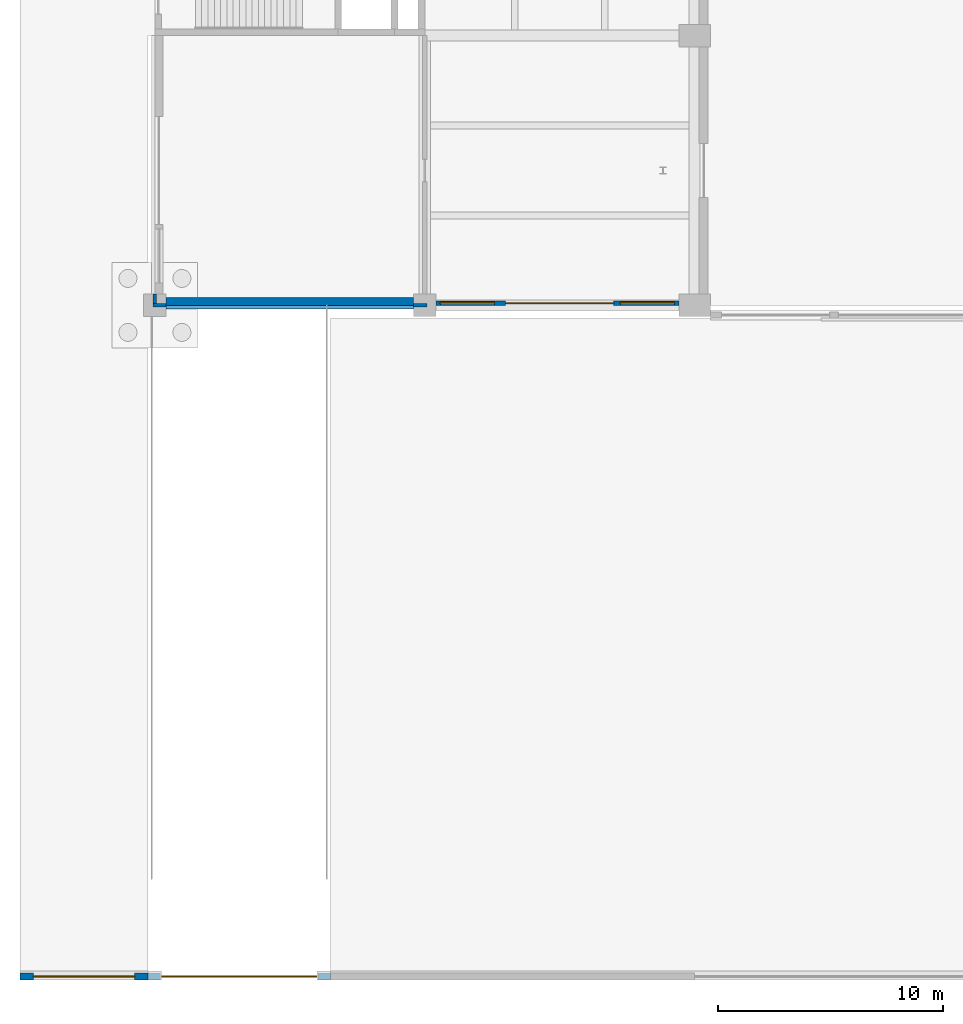
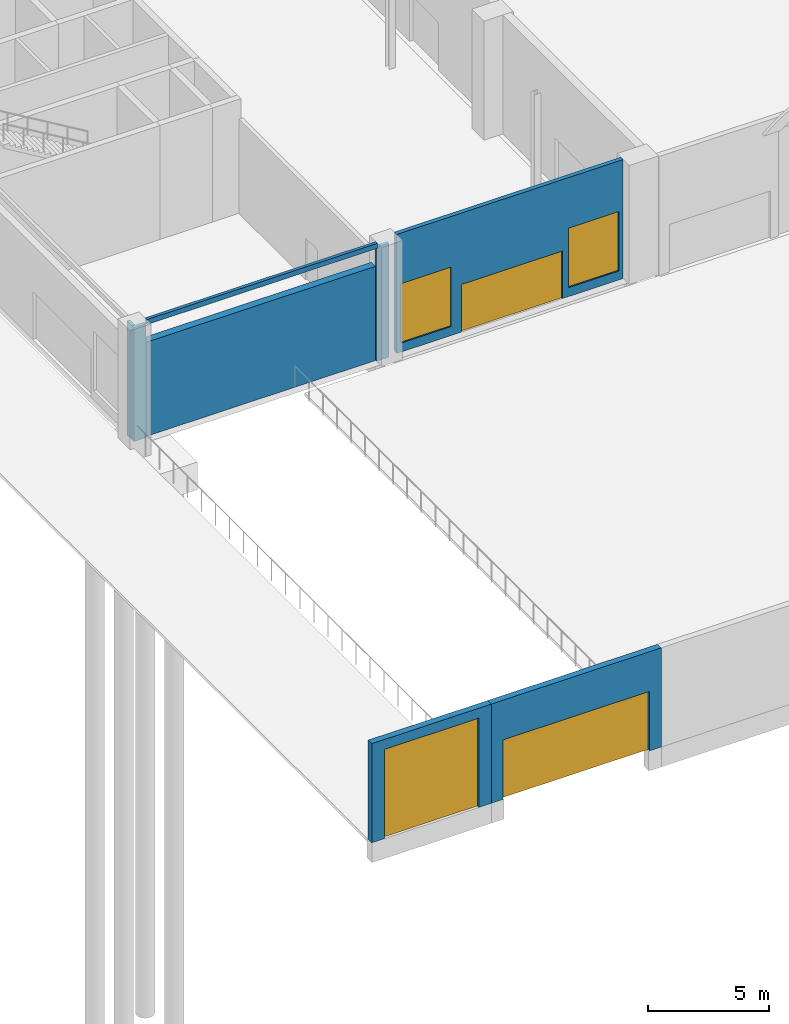
# One storey, part 31 of 59: 8 walls, 3 doors, 2 windows, 5 openings.
"""IFC4 building model written with IfcOpenShell, lengths in metres."""

from ifc_helpers import new_model, si_unit, direction, frame, frame_2d, origin, place, context, subcontext, project, spatial, rectangle, extrude, material, layer, layer_set, type_object, element, fill, save


model = new_model("IFC4")

# Units and contexts
model_context = context("Model", 3, precision=1e-05, world=origin(), true_north=direction((0.0, 1.0)))
body_context = subcontext(model_context, "Body", "Model", "MODEL_VIEW")
ifc_project = project(units=[si_unit("LENGTHUNIT", "METRE"), si_unit("AREAUNIT", "SQUARE_METRE"), si_unit("VOLUMEUNIT", "CUBIC_METRE"), si_unit("PLANEANGLEUNIT", "RADIAN"), si_unit("MASSUNIT", "GRAM", prefix="KILO")], contexts=[model_context])

# Site, building, storey
site_placement = place(None, origin())
site = spatial("IfcSite", under=ifc_project, at=site_placement, CompositionType="ELEMENT")
building_placement = place(site_placement, origin())
building = spatial("IfcBuilding", under=site, at=building_placement, Name="Lilac Gate Convention Centre", CompositionType="ELEMENT")
storey_placement = place(building_placement, origin())
storey = spatial("IfcBuildingStorey", under=building, at=storey_placement, Name="L00", CompositionType="ELEMENT", Elevation=0.0)

# Wall, opening, door
ifc_material_1 = material(Name="Concrete C30", Category="concrete")
ifc_layer_1 = layer(ifc_material_1, 0.300048828125)
ifc_layer_set_1 = layer_set([ifc_layer_1], Name="Concrete C30")
wall_type_1 = type_object("IfcWallType", Name="Boundary wall 300", PredefinedType="SOLIDWALL", material=ifc_layer_set_1)
wall_1_placement = place(storey_placement, frame((0.0, 0.155029296875, 0.0), z_axis=(0.0, 0.0, 1.0), x_axis=(1.0, 0.0, 0.0)))
wall_1 = element("IfcWall", 1, at=wall_1_placement, inside=storey, type_object=wall_type_1, Name="Boundary wall Back Street W", PredefinedType="SOLIDWALL", context=body_context, shape_type="SweptSolid", body=[
    extrude(rectangle(XDim=5.699951171875, YDim=0.300048828125, at=frame_2d((2.85009765625, 0.0))), origin(), (0.0, 0.0, 1.0), 5.0),
])
opening_1_placement = place(wall_1_placement, frame((0.60009765625, 0.0, 0.0)))
opening_1 = element("IfcOpeningElement", 2, at=opening_1_placement, cuts=wall_1, Name="Opening ED-037", PredefinedType="OPENING", context=body_context, shape_type="SweptSolid", body=[
    extrude(rectangle(XDim=4.5, YDim=4.5, at=frame_2d((2.25, 2.25))), frame((0.0, 0.159912109375, 0.0), z_axis=(0.0, -1.0, 0.0), x_axis=(1.0, 0.0, 0.0)), (0.0, 0.0, 1.0), 0.320068359375),
])
ifc_material_2 = material(Name="Steel Q235B", Category="steel")
door_type_1 = type_object("IfcDoorType", Name="Lane gate 4500 x 4500", OperationType="SLIDING_TO_LEFT", PredefinedType="DOOR", material=ifc_material_2)
door_1_placement = place(opening_1_placement, frame((4.5, 0.0, 0.0), z_axis=(0.0, 0.0, 1.0), x_axis=(-1.0, 0.0, 0.0)))
door_1 = element("IfcDoor", 3, at=door_1_placement, inside=storey, type_object=door_type_1, Name="Lane gate G1", OperationType="SLIDING_TO_LEFT", OverallHeight=4.5, OverallWidth=4.5, PredefinedType="DOOR", context=body_context, shape_type="SweptSolid", body=[
    extrude(rectangle(XDim=4.5, YDim=4.5, at=frame_2d((2.25, 2.25))), frame((0.0, 0.02490234375, 0.0), z_axis=(0.0, -1.0, 0.0), x_axis=(1.0, 0.0, 0.0)), (0.0, 0.0, 1.0), 0.050048828125),
])
fill(opening_1, door_1)

wall_2_placement = place(storey_placement, frame((5.699951171875, 0.155029296875, 0.0), z_axis=(0.0, 0.0, 1.0), x_axis=(1.0, 0.0, 0.0)))
wall_2 = element("IfcWall", 4, at=wall_2_placement, inside=storey, type_object=wall_type_1, Name="Boundary wall Back Street R", PredefinedType="SOLIDWALL", context=body_context, shape_type="SweptSolid", body=[
    extrude(rectangle(XDim=8.10009765625, YDim=0.300048828125, at=frame_2d((4.050048828125, 0.0))), origin(), (0.0, 0.0, 1.0), 5.0),
])
opening_2_placement = place(wall_2_placement, frame((0.550048828125, 0.0, 0.0)))
opening_2 = element("IfcOpeningElement", 5, at=opening_2_placement, cuts=wall_2, Name="Opening VG1", PredefinedType="OPENING", context=body_context, shape_type="SweptSolid", body=[
    extrude(rectangle(XDim=7.0, YDim=3.0, at=frame_2d((3.5, 1.5))), frame((0.0, 0.159912109375, 0.0), z_axis=(0.0, -1.0, 0.0), x_axis=(1.0, 0.0, 0.0)), (0.0, 0.0, 1.0), 0.320068359375),
])
door_type_2 = type_object("IfcDoorType", Name="Car ramp gate 7000 x 3000", OperationType="SLIDING_TO_LEFT", PredefinedType="DOOR", material=ifc_material_2)
door_2_placement = place(opening_2_placement, frame((7.0, 0.0, 0.0), z_axis=(0.0, 0.0, 1.0), x_axis=(-1.0, 0.0, 0.0)))
door_2 = element("IfcDoor", 6, at=door_2_placement, inside=storey, type_object=door_type_2, Name="Car ramp vehicle gate VG1", OperationType="SLIDING_TO_LEFT", OverallHeight=3.0, OverallWidth=7.0, PredefinedType="DOOR", context=body_context, shape_type="SweptSolid", body=[
    extrude(rectangle(XDim=7.0, YDim=3.0, at=frame_2d((3.5, 1.5))), frame((0.0, 0.02490234375, 0.0), z_axis=(0.0, -1.0, 0.0), x_axis=(1.0, 0.0, 0.0)), (0.0, 0.0, 1.0), 0.050048828125),
])
fill(opening_2, door_2)

# Wall, openings, door, windows
ifc_material_3 = material(Name="Aluminium framed glazing", Category="aluminium")
ifc_layer_2 = layer(ifc_material_3, 0.199951171875)
ifc_layer_set_2 = layer_set([ifc_layer_2], Name="Aluminium framed glazing")
wall_type_2 = type_object("IfcWallType", Name="Entrance screen frame 200", PredefinedType="STANDARD", material=ifc_layer_set_2)
wall_3_placement = place(storey_placement, frame((18.5, 30.10009765625, 0.0), z_axis=(0.0, 0.0, 1.0), x_axis=(1.0, 0.0, 0.0)))
wall_3 = element("IfcWall", 7, at=wall_3_placement, inside=storey, type_object=wall_type_2, Name="Galleria end door wall L00", PredefinedType="STANDARD", context=body_context, shape_type="SweptSolid", body=[
    extrude(rectangle(XDim=10.800048828125, YDim=0.199951171875, at=frame_2d((5.39990234375, 0.0))), origin(), (0.0, 0.0, 1.0), 6.0),
])
opening_3_placement = place(wall_3_placement, frame((3.10009765625, 0.0, 0.0)))
opening_3 = element("IfcOpeningElement", 8, at=opening_3_placement, cuts=wall_3, Name="Opening ED-031", PredefinedType="OPENING", context=body_context, shape_type="SweptSolid", body=[
    extrude(rectangle(XDim=4.800048828125, YDim=2.39990234375, at=frame_2d((2.39990234375, 1.199951171875))), frame((0.0, 0.10986328125, 0.0), z_axis=(0.0, -1.0, 0.0), x_axis=(1.0, 0.0, 0.0)), (0.0, 0.0, 1.0), 0.219970703125),
])
opening_4_placement = place(wall_3_placement, frame((0.199951171875, 0.0, 0.449951171875)))
opening_4 = element("IfcOpeningElement", 9, at=opening_4_placement, cuts=wall_3, Name="Opening W6", PredefinedType="OPENING", context=body_context, shape_type="SweptSolid", body=[
    extrude(rectangle(XDim=2.39990234375, YDim=3.0, at=frame_2d((1.199951171875, 1.5))), frame((0.0, 0.10986328125, 0.0), z_axis=(0.0, -1.0, 0.0), x_axis=(1.0, 0.0, 0.0)), (0.0, 0.0, 1.0), 0.219970703125),
])
opening_5_placement = place(wall_3_placement, frame((8.199951171875, 0.0, 0.449951171875)))
opening_5 = element("IfcOpeningElement", 10, at=opening_5_placement, cuts=wall_3, Name="Opening W6", PredefinedType="OPENING", context=body_context, shape_type="SweptSolid", body=[
    extrude(rectangle(XDim=2.39990234375, YDim=3.0, at=frame_2d((1.199951171875, 1.5))), frame((0.0, 0.10986328125, 0.0), z_axis=(0.0, -1.0, 0.0), x_axis=(1.0, 0.0, 0.0)), (0.0, 0.0, 1.0), 0.219970703125),
])
door_type_3 = type_object("IfcDoorType", Name="Exit door set 4800 x 2400", OperationType="DOUBLE_DOOR_SINGLE_SWING", PredefinedType="DOOR", material=ifc_material_2)
door_3_placement = place(opening_3_placement, frame((4.800048828125, 0.0, 0.0), z_axis=(0.0, 0.0, 1.0), x_axis=(-1.0, 0.0, 0.0)))
door_3 = element("IfcDoor", 11, at=door_3_placement, inside=storey, type_object=door_type_3, Name="Pedestrian exit doors G20", OperationType="DOUBLE_DOOR_SINGLE_SWING", OverallHeight=2.39990234375, OverallWidth=4.800048828125, PredefinedType="DOOR", context=body_context, shape_type="SweptSolid", body=[
    extrude(rectangle(XDim=4.800048828125, YDim=2.39990234375, at=frame_2d((2.39990234375, 1.199951171875))), frame((0.0, 0.02490234375, 0.0), z_axis=(0.0, -1.0, 0.0), x_axis=(1.0, 0.0, 0.0)), (0.0, 0.0, 1.0), 0.050048828125),
])
fill(opening_3, door_3)
ifc_material_4 = material(Name="Aluminium framed double glazing", Category="aluminium")
window_type = type_object("IfcWindowType", Name="Shopfront window 2400 x 3000", PartitioningType="TRIPLE_PANEL_VERTICAL", PredefinedType="WINDOW", material=ifc_material_4)
window_1_placement = place(opening_4_placement, origin())
window_1 = element("IfcWindow", 12, at=window_1_placement, inside=storey, type_object=window_type, Name="Window galleria end L00", OverallHeight=3.0, OverallWidth=2.39990234375, PartitioningType="SINGLE_PANEL", PredefinedType="WINDOW", context=body_context, shape_type="SweptSolid", body=[
    extrude(rectangle(XDim=2.39990234375, YDim=3.0, at=frame_2d((1.199951171875, 1.5))), frame((0.0, 0.030029296875, 0.0), z_axis=(0.0, -1.0, 0.0), x_axis=(1.0, 0.0, 0.0)), (0.0, 0.0, 1.0), 0.06005859375),
])
fill(opening_4, window_1)
window_2_placement = place(opening_5_placement, origin())
window_2 = element("IfcWindow", 13, at=window_2_placement, inside=storey, type_object=window_type, Name="Window galleria end L00", OverallHeight=3.0, OverallWidth=2.39990234375, PartitioningType="SINGLE_PANEL", PredefinedType="WINDOW", context=body_context, shape_type="SweptSolid", body=[
    extrude(rectangle(XDim=2.39990234375, YDim=3.0, at=frame_2d((1.199951171875, 1.5))), frame((0.0, 0.030029296875, 0.0), z_axis=(0.0, -1.0, 0.0), x_axis=(1.0, 0.0, 0.0)), (0.0, 0.0, 1.0), 0.06005859375),
])
fill(opening_5, window_2)

# Walls
ifc_material_5 = material(Name="Fire-rated gypsum board on steel stud", Category="steel")
ifc_layer_3 = layer(ifc_material_5, 0.14990234375)
ifc_layer_set_3 = layer_set([ifc_layer_3], Name="Fire-rated gypsum board on steel stud")
wall_type_3 = type_object("IfcWallType", Name="Partition 150 fire-rated gypsum board EI 60", PredefinedType="PARTITIONING", material=ifc_layer_set_3)
wall_4_placement = place(storey_placement, frame((5.925048828125, 30.0, 0.0), z_axis=(0.0, 0.0, 1.0), x_axis=(1.0, 0.0, 0.0)))
element("IfcWall", 14, at=wall_4_placement, inside=storey, type_object=wall_type_3, Name="Partition 150 fire-rated gypsum board EI 60", PredefinedType="PARTITIONING", context=body_context, shape_type="SweptSolid", body=[
    extrude(rectangle(XDim=0.574951171875, YDim=0.14990234375, at=frame_2d((0.28759765625, 0.0))), origin(), (0.0, 0.0, 1.0), 5.75),
])
wall_5_placement = place(storey_placement, frame((17.5, 30.0, 0.0), z_axis=(0.0, 0.0, 1.0), x_axis=(1.0, 0.0, 0.0)))
element("IfcWall", 15, at=wall_5_placement, inside=storey, type_object=wall_type_3, Name="Partition 150 fire-rated gypsum board EI 60", PredefinedType="PARTITIONING", context=body_context, shape_type="SweptSolid", body=[
    extrude(rectangle(XDim=0.60009765625, YDim=0.14990234375, at=frame_2d((0.300048828125, 0.0))), origin(), (0.0, 0.0, 1.0), 5.75),
])
wall_6_placement = place(storey_placement, frame((6.0, 30.074951171875, 0.0), z_axis=(0.0, 0.0, 1.0), x_axis=(0.0, 1.0, 0.0)))
element("IfcWall", 16, at=wall_6_placement, inside=storey, type_object=wall_type_3, Name="Partition 150 fire-rated gypsum board EI 60", PredefinedType="PARTITIONING", context=body_context, shape_type="SweptSolid", body=[
    extrude(rectangle(XDim=0.425048828125, YDim=0.14990234375, at=frame_2d((0.21240234375, 0.0))), origin(), (0.0, 0.0, 1.0), 5.75),
])
ifc_material_6 = material(Name="Ochre mineral render")
ifc_layer_4 = layer(ifc_material_6, 0.02001953125)
ifc_material_7 = material(Name="Concrete C40 precast", Category="concrete")
ifc_layer_5 = layer(ifc_material_7, 0.06005859375)
ifc_material_8 = material(Name="Ventilated air cavity")
ifc_layer_6 = layer(ifc_material_8, 0.030029296875)
ifc_material_9 = material(Name="Mineral wool insulation")
ifc_layer_7 = layer(ifc_material_9, 0.169921875)
ifc_material_10 = material(Name="Steel stud Q345 and gypsum lining", Category="steel")
ifc_layer_8 = layer(ifc_material_10, 0.070068359375)
ifc_layer_set_4 = layer_set([ifc_layer_4, ifc_layer_5, ifc_layer_6, ifc_layer_7, ifc_layer_8], Name="Ochre mineral render, Concrete C40 precast, Ventilated air cavity, Mineral wool insulation, Steel stud Q345 and gypsum lining")
wall_type_4 = type_object("IfcWallType", Name="Podium precast wall 350", PredefinedType="STANDARD", material=ifc_layer_set_4)
wall_7_placement = place(storey_placement, frame((6.5, 30.175048828125, 0.0), z_axis=(0.0, 0.0, 1.0), x_axis=(1.0, 0.0, 0.0)))
element("IfcWall", 17, at=wall_7_placement, inside=storey, type_object=wall_type_4, Name="External wall south stack PS L00 1", PredefinedType="STANDARD", context=body_context, shape_type="SweptSolid", body=[
    extrude(rectangle(XDim=11.0, YDim=0.35009765625, at=frame_2d((5.5, 0.0))), origin(), (0.0, 0.0, 1.0), 4.75),
])
ifc_layer_9 = layer(ifc_material_7, 0.1298828125)
ifc_material_11 = material(Name="Teal glazed cladding")
ifc_layer_10 = layer(ifc_material_11, 0.02001953125)
ifc_layer_set_5 = layer_set([ifc_layer_9, ifc_layer_10], Name="Concrete C40 precast, Teal glazed cladding")
wall_type_5 = type_object("IfcWallType", Name="Precast band teal 150", PredefinedType="STANDARD", material=ifc_layer_set_5)
wall_8_placement = place(storey_placement, frame((6.5, 29.925048828125, 5.75), z_axis=(0.0, 0.0, 1.0), x_axis=(1.0, 0.0, 0.0)))
element("IfcWall", 18, at=wall_8_placement, inside=storey, type_object=wall_type_5, Name="Precast band PS L00 1", PredefinedType="STANDARD", context=body_context, shape_type="SweptSolid", body=[
    extrude(rectangle(XDim=11.0, YDim=0.14990234375, at=frame_2d((5.5, 0.0))), origin(), (0.0, 0.0, 1.0), 0.25),
])

save(model, "model.ifc")
